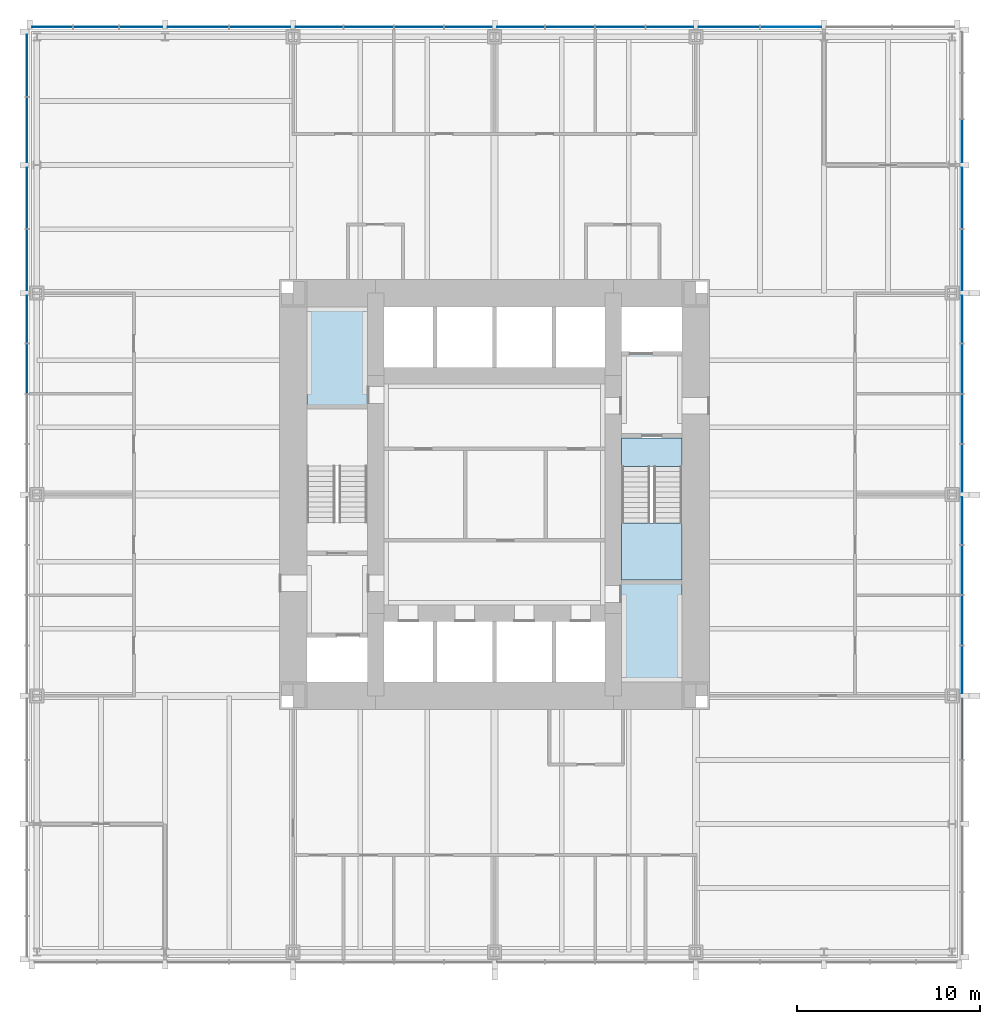
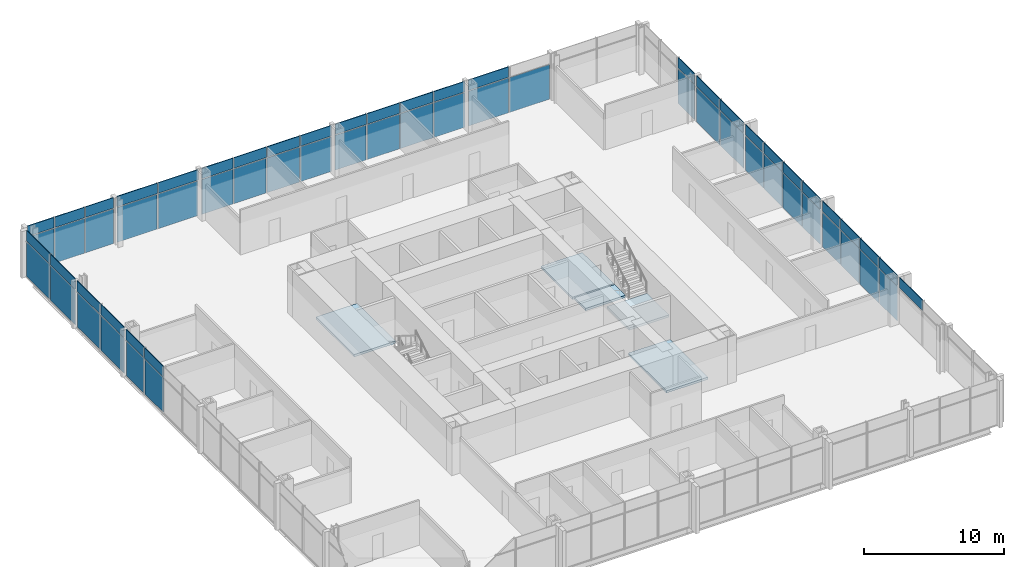
# One storey, part 8 of 12: 64 plates, 5 slabs, 4 elements without a shape of their own.
"""IFC4 building model written with IfcOpenShell, lengths in metres."""

from ifc_helpers import new_model, si_unit, direction, frame, origin, origin_2d, place, context, subcontext, project, spatial, polyline, rectangle, outline, extrude, material, layer, layer_set, type_object, element, aggregate, save


model = new_model("IFC4")

# Units and contexts
model_context = context("Model", 3, precision=1e-05, world=origin(), true_north=direction((0.0, 1.0)))
body_context = subcontext(model_context, "Body", "Model", "MODEL_VIEW")
ifc_project = project(units=[si_unit("LENGTHUNIT", "METRE"), si_unit("AREAUNIT", "SQUARE_METRE"), si_unit("VOLUMEUNIT", "CUBIC_METRE"), si_unit("PLANEANGLEUNIT", "RADIAN"), si_unit("MASSUNIT", "GRAM", prefix="KILO")], contexts=[model_context])

# Site, building, storey
site_placement = place(None, origin())
site = spatial("IfcSite", under=ifc_project, at=site_placement, CompositionType="ELEMENT")
building_placement = place(site_placement, origin())
building = spatial("IfcBuilding", under=site, at=building_placement, Name="Trevanion Tower", CompositionType="ELEMENT")
storey_placement = place(building_placement, frame((0.0, 0.0, 69.300048828125)))
storey = spatial("IfcBuildingStorey", under=building, at=storey_placement, Name="L16", CompositionType="ELEMENT", Elevation=69.300048828125)

# Curtain wall, plates
ifc_material_1 = material(Name="Aluminium and glass", Category="aluminium")
curtain_wall_type = type_object("IfcCurtainWallType", Name="CW1 curtain wall", PredefinedType="USERDEFINED", material=ifc_material_1)
curtain_wall_1_placement = place(storey_placement, origin())
curtain_wall_1 = element("IfcCurtainWall", 1, at=curtain_wall_1_placement, inside=storey, type_object=curtain_wall_type, Name="CW1 L16 0", ObjectType="UNITISED CURTAIN WALL", PredefinedType="USERDEFINED")
ifc_material_2 = material(Name="Aluminium spandrel panel", Category="aluminium")
ifc_layer_1 = layer(ifc_material_2, 0.06005859375)
ifc_layer_set_1 = layer_set([ifc_layer_1], Name="CW1 spandrel panel")
plate_type_1 = type_object("IfcPlateType", Name="CW1 spandrel panel", PredefinedType="CURTAIN_PANEL", material=ifc_layer_set_1)
plate_1_placement = place(storey_placement, frame((25.550048828125, -12.806396484375, 2.997314453125), z_axis=(0.0, 0.0, 1.0), x_axis=(0.0, 1.0, 0.0)))
plate_1 = element("IfcPlate", 2, at=plate_1_placement, type_object=plate_type_1, Name="CW1 panel 4.2", PredefinedType="CURTAIN_PANEL", context=body_context, shape_type="SweptSolid", body=[
    extrude(rectangle(XDim=3.3125, YDim=0.06005859375, at=origin_2d()), origin(), (0.0, 0.0, 1.0), 0.91259765625),
])
plate_2_placement = place(storey_placement, frame((25.550048828125, -9.56884765625, 2.997314453125), z_axis=(0.0, 0.0, 1.0), x_axis=(0.0, 1.0, 0.0)))
plate_2 = element("IfcPlate", 3, at=plate_2_placement, type_object=plate_type_1, Name="CW1 panel 5.2", PredefinedType="CURTAIN_PANEL", context=body_context, shape_type="SweptSolid", body=[
    extrude(rectangle(XDim=2.5625, YDim=0.06005859375, at=origin_2d()), origin(), (0.0, 0.0, 1.0), 0.91259765625),
])
plate_3_placement = place(storey_placement, frame((25.550048828125, -6.875, 2.997314453125), z_axis=(0.0, 0.0, 1.0), x_axis=(0.0, 1.0, 0.0)))
plate_3 = element("IfcPlate", 4, at=plate_3_placement, type_object=plate_type_1, Name="CW1 panel 6.2", PredefinedType="CURTAIN_PANEL", context=body_context, shape_type="SweptSolid", body=[
    extrude(rectangle(XDim=2.675048828125, YDim=0.06005859375, at=origin_2d()), origin(), (0.0, 0.0, 1.0), 0.91259765625),
])
plate_4_placement = place(storey_placement, frame((25.550048828125, -4.125, 2.997314453125), z_axis=(0.0, 0.0, 1.0), x_axis=(0.0, 1.0, 0.0)))
plate_4 = element("IfcPlate", 5, at=plate_4_placement, type_object=plate_type_1, Name="CW1 panel 7.2", PredefinedType="CURTAIN_PANEL", context=body_context, shape_type="SweptSolid", body=[
    extrude(rectangle(XDim=2.675048828125, YDim=0.06005859375, at=origin_2d()), origin(), (0.0, 0.0, 1.0), 0.91259765625),
])
plate_5_placement = place(storey_placement, frame((25.550048828125, -1.43115234375, 2.997314453125), z_axis=(0.0, 0.0, 1.0), x_axis=(0.0, 1.0, 0.0)))
plate_5 = element("IfcPlate", 6, at=plate_5_placement, type_object=plate_type_1, Name="CW1 panel 8.2", PredefinedType="CURTAIN_PANEL", context=body_context, shape_type="SweptSolid", body=[
    extrude(rectangle(XDim=2.5625, YDim=0.06005859375, at=origin_2d()), origin(), (0.0, 0.0, 1.0), 0.91259765625),
])
plate_6_placement = place(storey_placement, frame((25.550048828125, 1.43115234375, 2.997314453125), z_axis=(0.0, 0.0, 1.0), x_axis=(0.0, 1.0, 0.0)))
plate_6 = element("IfcPlate", 7, at=plate_6_placement, type_object=plate_type_1, Name="CW1 panel 9.2", PredefinedType="CURTAIN_PANEL", context=body_context, shape_type="SweptSolid", body=[
    extrude(rectangle(XDim=2.5625, YDim=0.06005859375, at=origin_2d()), origin(), (0.0, 0.0, 1.0), 0.91259765625),
])
plate_7_placement = place(storey_placement, frame((25.550048828125, 4.125, 2.997314453125), z_axis=(0.0, 0.0, 1.0), x_axis=(0.0, 1.0, 0.0)))
plate_7 = element("IfcPlate", 8, at=plate_7_placement, type_object=plate_type_1, Name="CW1 panel 10.2", PredefinedType="CURTAIN_PANEL", context=body_context, shape_type="SweptSolid", body=[
    extrude(rectangle(XDim=2.675048828125, YDim=0.06005859375, at=origin_2d()), origin(), (0.0, 0.0, 1.0), 0.91259765625),
])
plate_8_placement = place(storey_placement, frame((25.550048828125, 6.875, 2.997314453125), z_axis=(0.0, 0.0, 1.0), x_axis=(0.0, 1.0, 0.0)))
plate_8 = element("IfcPlate", 9, at=plate_8_placement, type_object=plate_type_1, Name="CW1 panel 11.2", PredefinedType="CURTAIN_PANEL", context=body_context, shape_type="SweptSolid", body=[
    extrude(rectangle(XDim=2.675048828125, YDim=0.06005859375, at=origin_2d()), origin(), (0.0, 0.0, 1.0), 0.91259765625),
])
plate_9_placement = place(storey_placement, frame((25.550048828125, 9.56884765625, 2.997314453125), z_axis=(0.0, 0.0, 1.0), x_axis=(0.0, 1.0, 0.0)))
plate_9 = element("IfcPlate", 10, at=plate_9_placement, type_object=plate_type_1, Name="CW1 panel 12.2", PredefinedType="CURTAIN_PANEL", context=body_context, shape_type="SweptSolid", body=[
    extrude(rectangle(XDim=2.5625, YDim=0.06005859375, at=origin_2d()), origin(), (0.0, 0.0, 1.0), 0.91259765625),
])
plate_10_placement = place(storey_placement, frame((25.550048828125, 12.80615234375, 2.997314453125), z_axis=(0.0, 0.0, 1.0), x_axis=(0.0, 1.0, 0.0)))
plate_10 = element("IfcPlate", 11, at=plate_10_placement, type_object=plate_type_1, Name="CW1 panel 13.2", PredefinedType="CURTAIN_PANEL", context=body_context, shape_type="SweptSolid", body=[
    extrude(rectangle(XDim=3.3125, YDim=0.06005859375, at=origin_2d()), origin(), (0.0, 0.0, 1.0), 0.91259765625),
])
plate_11_placement = place(storey_placement, frame((25.550048828125, 16.19384765625, 2.997314453125), z_axis=(0.0, 0.0, 1.0), x_axis=(0.0, 1.0, 0.0)))
plate_11 = element("IfcPlate", 12, at=plate_11_placement, type_object=plate_type_1, Name="CW1 panel 14.2", PredefinedType="CURTAIN_PANEL", context=body_context, shape_type="SweptSolid", body=[
    extrude(rectangle(XDim=3.3125, YDim=0.06005859375, at=origin_2d()), origin(), (0.0, 0.0, 1.0), 0.91259765625),
])
plate_12_placement = place(storey_placement, frame((25.550048828125, 19.314697265625, 2.997314453125), z_axis=(0.0, 0.0, 1.0), x_axis=(0.0, 1.0, 0.0)))
plate_12 = element("IfcPlate", 13, at=plate_12_placement, type_object=plate_type_1, Name="CW1 panel 15.2", PredefinedType="CURTAIN_PANEL", context=body_context, shape_type="SweptSolid", body=[
    extrude(rectangle(XDim=2.3291015625, YDim=0.06005859375, at=origin_2d()), origin(), (0.0, 0.0, 1.0), 0.91259765625),
])

curtain_wall_2_placement = place(storey_placement, origin())
curtain_wall_2 = element("IfcCurtainWall", 14, at=curtain_wall_2_placement, inside=storey, type_object=curtain_wall_type, Name="CW1 L16 1", ObjectType="UNITISED CURTAIN WALL", PredefinedType="USERDEFINED")
plate_13_placement = place(storey_placement, frame((12.806396484375, 25.550048828125, 2.997314453125), z_axis=(0.0, 0.0, 1.0), x_axis=(-1.0, 0.0, 0.0)))
plate_13 = element("IfcPlate", 15, at=plate_13_placement, type_object=plate_type_1, Name="CW1 panel 4.2", PredefinedType="CURTAIN_PANEL", context=body_context, shape_type="SweptSolid", body=[
    extrude(rectangle(XDim=3.3125, YDim=0.06005859375, at=origin_2d()), origin(), (0.0, 0.0, 1.0), 0.91259765625),
])
plate_14_placement = place(storey_placement, frame((9.56884765625, 25.550048828125, 2.997314453125), z_axis=(0.0, 0.0, 1.0), x_axis=(-1.0, 0.0, 0.0)))
plate_14 = element("IfcPlate", 16, at=plate_14_placement, type_object=plate_type_1, Name="CW1 panel 5.2", PredefinedType="CURTAIN_PANEL", context=body_context, shape_type="SweptSolid", body=[
    extrude(rectangle(XDim=2.5625, YDim=0.06005859375, at=origin_2d()), origin(), (0.0, 0.0, 1.0), 0.91259765625),
])
plate_15_placement = place(storey_placement, frame((6.875, 25.550048828125, 2.997314453125), z_axis=(0.0, 0.0, 1.0), x_axis=(-1.0, 0.0, 0.0)))
plate_15 = element("IfcPlate", 17, at=plate_15_placement, type_object=plate_type_1, Name="CW1 panel 6.2", PredefinedType="CURTAIN_PANEL", context=body_context, shape_type="SweptSolid", body=[
    extrude(rectangle(XDim=2.675048828125, YDim=0.06005859375, at=origin_2d()), origin(), (0.0, 0.0, 1.0), 0.91259765625),
])
plate_16_placement = place(storey_placement, frame((4.125, 25.550048828125, 2.997314453125), z_axis=(0.0, 0.0, 1.0), x_axis=(-1.0, 0.0, 0.0)))
plate_16 = element("IfcPlate", 18, at=plate_16_placement, type_object=plate_type_1, Name="CW1 panel 7.2", PredefinedType="CURTAIN_PANEL", context=body_context, shape_type="SweptSolid", body=[
    extrude(rectangle(XDim=2.675048828125, YDim=0.06005859375, at=origin_2d()), origin(), (0.0, 0.0, 1.0), 0.91259765625),
])
plate_17_placement = place(storey_placement, frame((1.43115234375, 25.550048828125, 2.997314453125), z_axis=(0.0, 0.0, 1.0), x_axis=(-1.0, 0.0, 0.0)))
plate_17 = element("IfcPlate", 19, at=plate_17_placement, type_object=plate_type_1, Name="CW1 panel 8.2", PredefinedType="CURTAIN_PANEL", context=body_context, shape_type="SweptSolid", body=[
    extrude(rectangle(XDim=2.5625, YDim=0.06005859375, at=origin_2d()), origin(), (0.0, 0.0, 1.0), 0.91259765625),
])
plate_18_placement = place(storey_placement, frame((-1.43115234375, 25.550048828125, 2.997314453125), z_axis=(0.0, 0.0, 1.0), x_axis=(-1.0, 0.0, 0.0)))
plate_18 = element("IfcPlate", 20, at=plate_18_placement, type_object=plate_type_1, Name="CW1 panel 9.2", PredefinedType="CURTAIN_PANEL", context=body_context, shape_type="SweptSolid", body=[
    extrude(rectangle(XDim=2.5625, YDim=0.06005859375, at=origin_2d()), origin(), (0.0, 0.0, 1.0), 0.91259765625),
])
plate_19_placement = place(storey_placement, frame((-4.125, 25.550048828125, 2.997314453125), z_axis=(0.0, 0.0, 1.0), x_axis=(-1.0, 0.0, 0.0)))
plate_19 = element("IfcPlate", 21, at=plate_19_placement, type_object=plate_type_1, Name="CW1 panel 10.2", PredefinedType="CURTAIN_PANEL", context=body_context, shape_type="SweptSolid", body=[
    extrude(rectangle(XDim=2.675048828125, YDim=0.06005859375, at=origin_2d()), origin(), (0.0, 0.0, 1.0), 0.91259765625),
])
plate_20_placement = place(storey_placement, frame((-6.875, 25.550048828125, 2.997314453125), z_axis=(0.0, 0.0, 1.0), x_axis=(-1.0, 0.0, 0.0)))
plate_20 = element("IfcPlate", 22, at=plate_20_placement, type_object=plate_type_1, Name="CW1 panel 11.2", PredefinedType="CURTAIN_PANEL", context=body_context, shape_type="SweptSolid", body=[
    extrude(rectangle(XDim=2.675048828125, YDim=0.06005859375, at=origin_2d()), origin(), (0.0, 0.0, 1.0), 0.91259765625),
])
plate_21_placement = place(storey_placement, frame((-9.56884765625, 25.550048828125, 2.997314453125), z_axis=(0.0, 0.0, 1.0), x_axis=(-1.0, 0.0, 0.0)))
plate_21 = element("IfcPlate", 23, at=plate_21_placement, type_object=plate_type_1, Name="CW1 panel 12.2", PredefinedType="CURTAIN_PANEL", context=body_context, shape_type="SweptSolid", body=[
    extrude(rectangle(XDim=2.5625, YDim=0.06005859375, at=origin_2d()), origin(), (0.0, 0.0, 1.0), 0.91259765625),
])
plate_22_placement = place(storey_placement, frame((-12.80615234375, 25.550048828125, 2.997314453125), z_axis=(0.0, 0.0, 1.0), x_axis=(-1.0, 0.0, 0.0)))
plate_22 = element("IfcPlate", 24, at=plate_22_placement, type_object=plate_type_1, Name="CW1 panel 13.2", PredefinedType="CURTAIN_PANEL", context=body_context, shape_type="SweptSolid", body=[
    extrude(rectangle(XDim=3.3125, YDim=0.06005859375, at=origin_2d()), origin(), (0.0, 0.0, 1.0), 0.91259765625),
])
plate_23_placement = place(storey_placement, frame((-16.19384765625, 25.550048828125, 2.997314453125), z_axis=(0.0, 0.0, 1.0), x_axis=(-1.0, 0.0, 0.0)))
plate_23 = element("IfcPlate", 25, at=plate_23_placement, type_object=plate_type_1, Name="CW1 panel 14.2", PredefinedType="CURTAIN_PANEL", context=body_context, shape_type="SweptSolid", body=[
    extrude(rectangle(XDim=3.3125, YDim=0.06005859375, at=origin_2d()), origin(), (0.0, 0.0, 1.0), 0.91259765625),
])
plate_24_placement = place(storey_placement, frame((-19.314697265625, 25.550048828125, 2.997314453125), z_axis=(0.0, 0.0, 1.0), x_axis=(-1.0, 0.0, 0.0)))
plate_24 = element("IfcPlate", 26, at=plate_24_placement, type_object=plate_type_1, Name="CW1 panel 15.2", PredefinedType="CURTAIN_PANEL", context=body_context, shape_type="SweptSolid", body=[
    extrude(rectangle(XDim=2.3291015625, YDim=0.06005859375, at=origin_2d()), origin(), (0.0, 0.0, 1.0), 0.91259765625),
])
plate_25_placement = place(storey_placement, frame((-21.77490234375, 25.550048828125, 2.997314453125), z_axis=(0.0, 0.0, 1.0), x_axis=(-1.0, 0.0, 0.0)))
plate_25 = element("IfcPlate", 27, at=plate_25_placement, type_object=plate_type_1, Name="CW1 panel 16.2", PredefinedType="CURTAIN_PANEL", context=body_context, shape_type="SweptSolid", body=[
    extrude(rectangle(XDim=2.441650390625, YDim=0.06005859375, at=origin_2d()), origin(), (0.0, 0.0, 1.0), 0.91259765625),
])
plate_26_placement = place(storey_placement, frame((-24.160400390625, 25.550048828125, 2.997314453125), z_axis=(0.0, 0.0, 1.0), x_axis=(-1.0, 0.0, 0.0)))
plate_26 = element("IfcPlate", 28, at=plate_26_placement, type_object=plate_type_1, Name="CW1 panel 17.2", PredefinedType="CURTAIN_PANEL", context=body_context, shape_type="SweptSolid", body=[
    extrude(rectangle(XDim=2.17919921875, YDim=0.06005859375, at=origin_2d()), origin(), (0.0, 0.0, 1.0), 0.91259765625),
])

curtain_wall_3_placement = place(storey_placement, origin())
curtain_wall_3 = element("IfcCurtainWall", 29, at=curtain_wall_3_placement, inside=storey, type_object=curtain_wall_type, Name="CW1 L16 2", ObjectType="UNITISED CURTAIN WALL", PredefinedType="USERDEFINED")
plate_27_placement = place(storey_placement, frame((-25.550048828125, 23.433837890625, 2.997314453125), z_axis=(0.0, 0.0, 1.0), x_axis=(0.0, -1.0, 0.0)))
plate_27 = element("IfcPlate", 30, at=plate_27_placement, type_object=plate_type_1, Name="CW1 panel 1.2", PredefinedType="CURTAIN_PANEL", context=body_context, shape_type="SweptSolid", body=[
    extrude(rectangle(XDim=3.37255859375, YDim=0.06005859375, at=origin_2d()), origin(), (0.0, 0.0, 1.0), 0.91259765625),
])
plate_28_placement = place(storey_placement, frame((-25.550048828125, 19.911376953125, 2.997314453125), z_axis=(0.0, 0.0, 1.0), x_axis=(0.0, -1.0, 0.0)))
plate_28 = element("IfcPlate", 31, at=plate_28_placement, type_object=plate_type_1, Name="CW1 panel 2.2", PredefinedType="CURTAIN_PANEL", context=body_context, shape_type="SweptSolid", body=[
    extrude(rectangle(XDim=3.5224609375, YDim=0.06005859375, at=origin_2d()), origin(), (0.0, 0.0, 1.0), 0.91259765625),
])
plate_29_placement = place(storey_placement, frame((-25.550048828125, 16.19384765625, 2.997314453125), z_axis=(0.0, 0.0, 1.0), x_axis=(0.0, -1.0, 0.0)))
plate_29 = element("IfcPlate", 32, at=plate_29_placement, type_object=plate_type_1, Name="CW1 panel 3.2", PredefinedType="CURTAIN_PANEL", context=body_context, shape_type="SweptSolid", body=[
    extrude(rectangle(XDim=3.3125, YDim=0.06005859375, at=origin_2d()), origin(), (0.0, 0.0, 1.0), 0.91259765625),
])
plate_30_placement = place(storey_placement, frame((-25.550048828125, 12.806396484375, 2.997314453125), z_axis=(0.0, 0.0, 1.0), x_axis=(0.0, -1.0, 0.0)))
plate_30 = element("IfcPlate", 33, at=plate_30_placement, type_object=plate_type_1, Name="CW1 panel 4.2", PredefinedType="CURTAIN_PANEL", context=body_context, shape_type="SweptSolid", body=[
    extrude(rectangle(XDim=3.3125, YDim=0.06005859375, at=origin_2d()), origin(), (0.0, 0.0, 1.0), 0.91259765625),
])
plate_31_placement = place(storey_placement, frame((-25.550048828125, 9.56884765625, 2.997314453125), z_axis=(0.0, 0.0, 1.0), x_axis=(0.0, -1.0, 0.0)))
plate_31 = element("IfcPlate", 34, at=plate_31_placement, type_object=plate_type_1, Name="CW1 panel 5.2", PredefinedType="CURTAIN_PANEL", context=body_context, shape_type="SweptSolid", body=[
    extrude(rectangle(XDim=2.5625, YDim=0.06005859375, at=origin_2d()), origin(), (0.0, 0.0, 1.0), 0.91259765625),
])
plate_32_placement = place(storey_placement, frame((-25.550048828125, 6.875, 2.997314453125), z_axis=(0.0, 0.0, 1.0), x_axis=(0.0, -1.0, 0.0)))
plate_32 = element("IfcPlate", 35, at=plate_32_placement, type_object=plate_type_1, Name="CW1 panel 6.2", PredefinedType="CURTAIN_PANEL", context=body_context, shape_type="SweptSolid", body=[
    extrude(rectangle(XDim=2.675048828125, YDim=0.06005859375, at=origin_2d()), origin(), (0.0, 0.0, 1.0), 0.91259765625),
])

# Plate
ifc_material_3 = material(Name="Insulating glass unit", Category="glass")
ifc_layer_2 = layer(ifc_material_3, 0.028076171875)
ifc_layer_set_2 = layer_set([ifc_layer_2], Name="CW1 vision panel")
plate_type_2 = type_object("IfcPlateType", Name="CW1 vision panel", PredefinedType="CURTAIN_PANEL", material=ifc_layer_set_2)
plate_33_placement = place(storey_placement, frame((25.550048828125, -9.56884765625, -0.115234375), z_axis=(0.0, 0.0, 1.0), x_axis=(0.0, 1.0, 0.0)))
plate_33 = element("IfcPlate", 36, at=plate_33_placement, type_object=plate_type_2, Name="CW1 panel 5.1", PredefinedType="CURTAIN_PANEL", context=body_context, shape_type="SweptSolid", body=[
    extrude(rectangle(XDim=2.5625, YDim=0.028076171875, at=origin_2d()), origin(), (0.0, 0.0, 1.0), 3.03759765625),
])

plate_34_placement = place(storey_placement, frame((25.550048828125, -6.875, -0.115234375), z_axis=(0.0, 0.0, 1.0), x_axis=(0.0, 1.0, 0.0)))
plate_34 = element("IfcPlate", 37, at=plate_34_placement, type_object=plate_type_2, Name="CW1 panel 6.1", PredefinedType="CURTAIN_PANEL", context=body_context, shape_type="SweptSolid", body=[
    extrude(rectangle(XDim=2.675048828125, YDim=0.028076171875, at=origin_2d()), origin(), (0.0, 0.0, 1.0), 3.03759765625),
])

plate_35_placement = place(storey_placement, frame((25.550048828125, -4.125, -0.115234375), z_axis=(0.0, 0.0, 1.0), x_axis=(0.0, 1.0, 0.0)))
plate_35 = element("IfcPlate", 38, at=plate_35_placement, type_object=plate_type_2, Name="CW1 panel 7.1", PredefinedType="CURTAIN_PANEL", context=body_context, shape_type="SweptSolid", body=[
    extrude(rectangle(XDim=2.675048828125, YDim=0.028076171875, at=origin_2d()), origin(), (0.0, 0.0, 1.0), 3.03759765625),
])

plate_36_placement = place(storey_placement, frame((25.550048828125, -1.43115234375, -0.115234375), z_axis=(0.0, 0.0, 1.0), x_axis=(0.0, 1.0, 0.0)))
plate_36 = element("IfcPlate", 39, at=plate_36_placement, type_object=plate_type_2, Name="CW1 panel 8.1", PredefinedType="CURTAIN_PANEL", context=body_context, shape_type="SweptSolid", body=[
    extrude(rectangle(XDim=2.5625, YDim=0.028076171875, at=origin_2d()), origin(), (0.0, 0.0, 1.0), 3.03759765625),
])

plate_37_placement = place(storey_placement, frame((25.550048828125, 1.43115234375, -0.115234375), z_axis=(0.0, 0.0, 1.0), x_axis=(0.0, 1.0, 0.0)))
plate_37 = element("IfcPlate", 40, at=plate_37_placement, type_object=plate_type_2, Name="CW1 panel 9.1", PredefinedType="CURTAIN_PANEL", context=body_context, shape_type="SweptSolid", body=[
    extrude(rectangle(XDim=2.5625, YDim=0.028076171875, at=origin_2d()), origin(), (0.0, 0.0, 1.0), 3.03759765625),
])

plate_38_placement = place(storey_placement, frame((25.550048828125, 4.125, -0.115234375), z_axis=(0.0, 0.0, 1.0), x_axis=(0.0, 1.0, 0.0)))
plate_38 = element("IfcPlate", 41, at=plate_38_placement, type_object=plate_type_2, Name="CW1 panel 10.1", PredefinedType="CURTAIN_PANEL", context=body_context, shape_type="SweptSolid", body=[
    extrude(rectangle(XDim=2.675048828125, YDim=0.028076171875, at=origin_2d()), origin(), (0.0, 0.0, 1.0), 3.03759765625),
])

plate_39_placement = place(storey_placement, frame((25.550048828125, 6.875, -0.115234375), z_axis=(0.0, 0.0, 1.0), x_axis=(0.0, 1.0, 0.0)))
plate_39 = element("IfcPlate", 42, at=plate_39_placement, type_object=plate_type_2, Name="CW1 panel 11.1", PredefinedType="CURTAIN_PANEL", context=body_context, shape_type="SweptSolid", body=[
    extrude(rectangle(XDim=2.675048828125, YDim=0.028076171875, at=origin_2d()), origin(), (0.0, 0.0, 1.0), 3.03759765625),
])

plate_40_placement = place(storey_placement, frame((25.550048828125, 9.56884765625, -0.115234375), z_axis=(0.0, 0.0, 1.0), x_axis=(0.0, 1.0, 0.0)))
plate_40 = element("IfcPlate", 43, at=plate_40_placement, type_object=plate_type_2, Name="CW1 panel 12.1", PredefinedType="CURTAIN_PANEL", context=body_context, shape_type="SweptSolid", body=[
    extrude(rectangle(XDim=2.5625, YDim=0.028076171875, at=origin_2d()), origin(), (0.0, 0.0, 1.0), 3.03759765625),
])

plate_41_placement = place(storey_placement, frame((25.550048828125, 12.80615234375, -0.115234375), z_axis=(0.0, 0.0, 1.0), x_axis=(0.0, 1.0, 0.0)))
plate_41 = element("IfcPlate", 44, at=plate_41_placement, type_object=plate_type_2, Name="CW1 panel 13.1", PredefinedType="CURTAIN_PANEL", context=body_context, shape_type="SweptSolid", body=[
    extrude(rectangle(XDim=3.3125, YDim=0.028076171875, at=origin_2d()), origin(), (0.0, 0.0, 1.0), 3.03759765625),
])

plate_42_placement = place(storey_placement, frame((25.550048828125, 16.19384765625, -0.115234375), z_axis=(0.0, 0.0, 1.0), x_axis=(0.0, 1.0, 0.0)))
plate_42 = element("IfcPlate", 45, at=plate_42_placement, type_object=plate_type_2, Name="CW1 panel 14.1", PredefinedType="CURTAIN_PANEL", context=body_context, shape_type="SweptSolid", body=[
    extrude(rectangle(XDim=3.3125, YDim=0.028076171875, at=origin_2d()), origin(), (0.0, 0.0, 1.0), 3.03759765625),
])

plate_43_placement = place(storey_placement, frame((25.550048828125, 19.314697265625, -0.115234375), z_axis=(0.0, 0.0, 1.0), x_axis=(0.0, 1.0, 0.0)))
plate_43 = element("IfcPlate", 46, at=plate_43_placement, type_object=plate_type_2, Name="CW1 panel 15.1", PredefinedType="CURTAIN_PANEL", context=body_context, shape_type="SweptSolid", body=[
    extrude(rectangle(XDim=2.3291015625, YDim=0.028076171875, at=origin_2d()), origin(), (0.0, 0.0, 1.0), 3.03759765625),
])

aggregate(curtain_wall_1, [plate_1, plate_33, plate_2, plate_34, plate_3, plate_35, plate_4, plate_36, plate_5, plate_37, plate_6, plate_38, plate_7, plate_39, plate_8, plate_40, plate_9, plate_41, plate_10, plate_42, plate_11, plate_43, plate_12])

plate_44_placement = place(storey_placement, frame((16.19384765625, 25.550048828125, -0.115234375), z_axis=(0.0, 0.0, 1.0), x_axis=(-1.0, 0.0, 0.0)))
plate_44 = element("IfcPlate", 47, at=plate_44_placement, type_object=plate_type_2, Name="CW1 panel 3.1", PredefinedType="CURTAIN_PANEL", context=body_context, shape_type="SweptSolid", body=[
    extrude(rectangle(XDim=3.3125, YDim=0.028076171875, at=origin_2d()), origin(), (0.0, 0.0, 1.0), 3.03759765625),
])

plate_45_placement = place(storey_placement, frame((12.806396484375, 25.550048828125, -0.115234375), z_axis=(0.0, 0.0, 1.0), x_axis=(-1.0, 0.0, 0.0)))
plate_45 = element("IfcPlate", 48, at=plate_45_placement, type_object=plate_type_2, Name="CW1 panel 4.1", PredefinedType="CURTAIN_PANEL", context=body_context, shape_type="SweptSolid", body=[
    extrude(rectangle(XDim=3.3125, YDim=0.028076171875, at=origin_2d()), origin(), (0.0, 0.0, 1.0), 3.03759765625),
])

plate_46_placement = place(storey_placement, frame((9.56884765625, 25.550048828125, -0.115234375), z_axis=(0.0, 0.0, 1.0), x_axis=(-1.0, 0.0, 0.0)))
plate_46 = element("IfcPlate", 49, at=plate_46_placement, type_object=plate_type_2, Name="CW1 panel 5.1", PredefinedType="CURTAIN_PANEL", context=body_context, shape_type="SweptSolid", body=[
    extrude(rectangle(XDim=2.5625, YDim=0.028076171875, at=origin_2d()), origin(), (0.0, 0.0, 1.0), 3.03759765625),
])

plate_47_placement = place(storey_placement, frame((6.875, 25.550048828125, -0.115234375), z_axis=(0.0, 0.0, 1.0), x_axis=(-1.0, 0.0, 0.0)))
plate_47 = element("IfcPlate", 50, at=plate_47_placement, type_object=plate_type_2, Name="CW1 panel 6.1", PredefinedType="CURTAIN_PANEL", context=body_context, shape_type="SweptSolid", body=[
    extrude(rectangle(XDim=2.675048828125, YDim=0.028076171875, at=origin_2d()), origin(), (0.0, 0.0, 1.0), 3.03759765625),
])

plate_48_placement = place(storey_placement, frame((4.125, 25.550048828125, -0.115234375), z_axis=(0.0, 0.0, 1.0), x_axis=(-1.0, 0.0, 0.0)))
plate_48 = element("IfcPlate", 51, at=plate_48_placement, type_object=plate_type_2, Name="CW1 panel 7.1", PredefinedType="CURTAIN_PANEL", context=body_context, shape_type="SweptSolid", body=[
    extrude(rectangle(XDim=2.675048828125, YDim=0.028076171875, at=origin_2d()), origin(), (0.0, 0.0, 1.0), 3.03759765625),
])

plate_49_placement = place(storey_placement, frame((1.43115234375, 25.550048828125, -0.115234375), z_axis=(0.0, 0.0, 1.0), x_axis=(-1.0, 0.0, 0.0)))
plate_49 = element("IfcPlate", 52, at=plate_49_placement, type_object=plate_type_2, Name="CW1 panel 8.1", PredefinedType="CURTAIN_PANEL", context=body_context, shape_type="SweptSolid", body=[
    extrude(rectangle(XDim=2.5625, YDim=0.028076171875, at=origin_2d()), origin(), (0.0, 0.0, 1.0), 3.03759765625),
])

plate_50_placement = place(storey_placement, frame((-1.43115234375, 25.550048828125, -0.115234375), z_axis=(0.0, 0.0, 1.0), x_axis=(-1.0, 0.0, 0.0)))
plate_50 = element("IfcPlate", 53, at=plate_50_placement, type_object=plate_type_2, Name="CW1 panel 9.1", PredefinedType="CURTAIN_PANEL", context=body_context, shape_type="SweptSolid", body=[
    extrude(rectangle(XDim=2.5625, YDim=0.028076171875, at=origin_2d()), origin(), (0.0, 0.0, 1.0), 3.03759765625),
])

plate_51_placement = place(storey_placement, frame((-4.125, 25.550048828125, -0.115234375), z_axis=(0.0, 0.0, 1.0), x_axis=(-1.0, 0.0, 0.0)))
plate_51 = element("IfcPlate", 54, at=plate_51_placement, type_object=plate_type_2, Name="CW1 panel 10.1", PredefinedType="CURTAIN_PANEL", context=body_context, shape_type="SweptSolid", body=[
    extrude(rectangle(XDim=2.675048828125, YDim=0.028076171875, at=origin_2d()), origin(), (0.0, 0.0, 1.0), 3.03759765625),
])

plate_52_placement = place(storey_placement, frame((-6.875, 25.550048828125, -0.115234375), z_axis=(0.0, 0.0, 1.0), x_axis=(-1.0, 0.0, 0.0)))
plate_52 = element("IfcPlate", 55, at=plate_52_placement, type_object=plate_type_2, Name="CW1 panel 11.1", PredefinedType="CURTAIN_PANEL", context=body_context, shape_type="SweptSolid", body=[
    extrude(rectangle(XDim=2.675048828125, YDim=0.028076171875, at=origin_2d()), origin(), (0.0, 0.0, 1.0), 3.03759765625),
])

plate_53_placement = place(storey_placement, frame((-9.56884765625, 25.550048828125, -0.115234375), z_axis=(0.0, 0.0, 1.0), x_axis=(-1.0, 0.0, 0.0)))
plate_53 = element("IfcPlate", 56, at=plate_53_placement, type_object=plate_type_2, Name="CW1 panel 12.1", PredefinedType="CURTAIN_PANEL", context=body_context, shape_type="SweptSolid", body=[
    extrude(rectangle(XDim=2.5625, YDim=0.028076171875, at=origin_2d()), origin(), (0.0, 0.0, 1.0), 3.03759765625),
])

plate_54_placement = place(storey_placement, frame((-12.80615234375, 25.550048828125, -0.115234375), z_axis=(0.0, 0.0, 1.0), x_axis=(-1.0, 0.0, 0.0)))
plate_54 = element("IfcPlate", 57, at=plate_54_placement, type_object=plate_type_2, Name="CW1 panel 13.1", PredefinedType="CURTAIN_PANEL", context=body_context, shape_type="SweptSolid", body=[
    extrude(rectangle(XDim=3.3125, YDim=0.028076171875, at=origin_2d()), origin(), (0.0, 0.0, 1.0), 3.03759765625),
])

plate_55_placement = place(storey_placement, frame((-16.19384765625, 25.550048828125, -0.115234375), z_axis=(0.0, 0.0, 1.0), x_axis=(-1.0, 0.0, 0.0)))
plate_55 = element("IfcPlate", 58, at=plate_55_placement, type_object=plate_type_2, Name="CW1 panel 14.1", PredefinedType="CURTAIN_PANEL", context=body_context, shape_type="SweptSolid", body=[
    extrude(rectangle(XDim=3.3125, YDim=0.028076171875, at=origin_2d()), origin(), (0.0, 0.0, 1.0), 3.03759765625),
])

plate_56_placement = place(storey_placement, frame((-19.314697265625, 25.550048828125, -0.115234375), z_axis=(0.0, 0.0, 1.0), x_axis=(-1.0, 0.0, 0.0)))
plate_56 = element("IfcPlate", 59, at=plate_56_placement, type_object=plate_type_2, Name="CW1 panel 15.1", PredefinedType="CURTAIN_PANEL", context=body_context, shape_type="SweptSolid", body=[
    extrude(rectangle(XDim=2.3291015625, YDim=0.028076171875, at=origin_2d()), origin(), (0.0, 0.0, 1.0), 3.03759765625),
])

plate_57_placement = place(storey_placement, frame((-21.77490234375, 25.550048828125, -0.115234375), z_axis=(0.0, 0.0, 1.0), x_axis=(-1.0, 0.0, 0.0)))
plate_57 = element("IfcPlate", 60, at=plate_57_placement, type_object=plate_type_2, Name="CW1 panel 16.1", PredefinedType="CURTAIN_PANEL", context=body_context, shape_type="SweptSolid", body=[
    extrude(rectangle(XDim=2.441650390625, YDim=0.028076171875, at=origin_2d()), origin(), (0.0, 0.0, 1.0), 3.03759765625),
])

plate_58_placement = place(storey_placement, frame((-24.160400390625, 25.550048828125, -0.115234375), z_axis=(0.0, 0.0, 1.0), x_axis=(-1.0, 0.0, 0.0)))
plate_58 = element("IfcPlate", 61, at=plate_58_placement, type_object=plate_type_2, Name="CW1 panel 17.1", PredefinedType="CURTAIN_PANEL", context=body_context, shape_type="SweptSolid", body=[
    extrude(rectangle(XDim=2.17919921875, YDim=0.028076171875, at=origin_2d()), origin(), (0.0, 0.0, 1.0), 3.03759765625),
])

aggregate(curtain_wall_2, [plate_44, plate_45, plate_13, plate_46, plate_14, plate_47, plate_15, plate_48, plate_16, plate_49, plate_17, plate_50, plate_18, plate_51, plate_19, plate_52, plate_20, plate_53, plate_21, plate_54, plate_22, plate_55, plate_23, plate_56, plate_24, plate_57, plate_25, plate_58, plate_26])

plate_59_placement = place(storey_placement, frame((-25.550048828125, 23.433837890625, -0.115234375), z_axis=(0.0, 0.0, 1.0), x_axis=(0.0, -1.0, 0.0)))
plate_59 = element("IfcPlate", 62, at=plate_59_placement, type_object=plate_type_2, Name="CW1 panel 1.1", PredefinedType="CURTAIN_PANEL", context=body_context, shape_type="SweptSolid", body=[
    extrude(rectangle(XDim=3.37255859375, YDim=0.028076171875, at=origin_2d()), origin(), (0.0, 0.0, 1.0), 3.03759765625),
])

plate_60_placement = place(storey_placement, frame((-25.550048828125, 19.911376953125, -0.115234375), z_axis=(0.0, 0.0, 1.0), x_axis=(0.0, -1.0, 0.0)))
plate_60 = element("IfcPlate", 63, at=plate_60_placement, type_object=plate_type_2, Name="CW1 panel 2.1", PredefinedType="CURTAIN_PANEL", context=body_context, shape_type="SweptSolid", body=[
    extrude(rectangle(XDim=3.5224609375, YDim=0.028076171875, at=origin_2d()), origin(), (0.0, 0.0, 1.0), 3.03759765625),
])

plate_61_placement = place(storey_placement, frame((-25.550048828125, 16.19384765625, -0.115234375), z_axis=(0.0, 0.0, 1.0), x_axis=(0.0, -1.0, 0.0)))
plate_61 = element("IfcPlate", 64, at=plate_61_placement, type_object=plate_type_2, Name="CW1 panel 3.1", PredefinedType="CURTAIN_PANEL", context=body_context, shape_type="SweptSolid", body=[
    extrude(rectangle(XDim=3.3125, YDim=0.028076171875, at=origin_2d()), origin(), (0.0, 0.0, 1.0), 3.03759765625),
])

plate_62_placement = place(storey_placement, frame((-25.550048828125, 12.806396484375, -0.115234375), z_axis=(0.0, 0.0, 1.0), x_axis=(0.0, -1.0, 0.0)))
plate_62 = element("IfcPlate", 65, at=plate_62_placement, type_object=plate_type_2, Name="CW1 panel 4.1", PredefinedType="CURTAIN_PANEL", context=body_context, shape_type="SweptSolid", body=[
    extrude(rectangle(XDim=3.3125, YDim=0.028076171875, at=origin_2d()), origin(), (0.0, 0.0, 1.0), 3.03759765625),
])

plate_63_placement = place(storey_placement, frame((-25.550048828125, 9.56884765625, -0.115234375), z_axis=(0.0, 0.0, 1.0), x_axis=(0.0, -1.0, 0.0)))
plate_63 = element("IfcPlate", 66, at=plate_63_placement, type_object=plate_type_2, Name="CW1 panel 5.1", PredefinedType="CURTAIN_PANEL", context=body_context, shape_type="SweptSolid", body=[
    extrude(rectangle(XDim=2.5625, YDim=0.028076171875, at=origin_2d()), origin(), (0.0, 0.0, 1.0), 3.03759765625),
])

plate_64_placement = place(storey_placement, frame((-25.550048828125, 6.875, -0.115234375), z_axis=(0.0, 0.0, 1.0), x_axis=(0.0, -1.0, 0.0)))
plate_64 = element("IfcPlate", 67, at=plate_64_placement, type_object=plate_type_2, Name="CW1 panel 6.1", PredefinedType="CURTAIN_PANEL", context=body_context, shape_type="SweptSolid", body=[
    extrude(rectangle(XDim=2.675048828125, YDim=0.028076171875, at=origin_2d()), origin(), (0.0, 0.0, 1.0), 3.03759765625),
])

aggregate(curtain_wall_3, [plate_59, plate_27, plate_60, plate_28, plate_61, plate_29, plate_62, plate_30, plate_63, plate_31, plate_64, plate_32])

# Slabs
ifc_material_4 = material(Name="Concrete 5,000 psi", Category="concrete")
ifc_layer_3 = layer(ifc_material_4, 0.199951171875)
ifc_layer_set_3 = layer_set([ifc_layer_3], Name="SL2 core floor 200")
slab_type_1 = type_object("IfcSlabType", Name="SL2 core floor 200", PredefinedType="FLOOR", material=ifc_layer_set_3)
slab_1_placement = place(storey_placement, frame((0.0, 0.0, -0.199951171875)))
element("IfcSlab", 68, at=slab_1_placement, inside=storey, type_object=slab_type_1, Name="SL2 L16 core floor 1", PredefinedType="FLOOR", context=body_context, shape_type="SweptSolid", body=[
    extrude(outline(polyline([(10.25, -4.804931640625), (10.25, -10.25), (6.830078125, -10.25), (6.830078125, -4.804931640625), (10.25, -4.804931640625)])), origin(), (0.0, 0.0, 1.0), 0.199951171875),
])
slab_2_placement = place(storey_placement, frame((0.0, 0.0, -0.199951171875)))
element("IfcSlab", 69, at=slab_2_placement, inside=storey, type_object=slab_type_1, Name="SL2 L16 core floor 4", PredefinedType="FLOOR", context=body_context, shape_type="SweptSolid", body=[
    extrude(outline(polyline([(6.830078125, 3.205078125), (6.830078125, 7.695068359375), (10.25, 7.695068359375), (10.25, 3.205078125), (6.830078125, 3.205078125)])), origin(), (0.0, 0.0, 1.0), 0.199951171875),
])
slab_3_placement = place(storey_placement, frame((0.0, 0.0, -0.199951171875)))
element("IfcSlab", 70, at=slab_3_placement, inside=storey, type_object=slab_type_1, Name="SL2 L16 core floor 5", PredefinedType="FLOOR", context=body_context, shape_type="SweptSolid", body=[
    extrude(outline(polyline([(-6.830078125, 4.804931640625), (-10.25, 4.804931640625), (-10.25, 10.25), (-6.830078125, 10.25), (-6.830078125, 4.804931640625)])), origin(), (0.0, 0.0, 1.0), 0.199951171875),
])

# Stair, slabs
ifc_material_5 = material(Name="Concrete 5,000 psi on steel stringers", Category="concrete")
stair_type = type_object("IfcStairType", Name="ST stair", PredefinedType="HALF_TURN_STAIR", material=ifc_material_5)
stair_placement = place(storey_placement, origin())
stair = element("IfcStair", 71, at=stair_placement, inside=storey, type_object=stair_type, Name="ST1 L16", PredefinedType="HALF_TURN_STAIR")
ifc_material_6 = material(Name="Concrete 5,000 psi in steel pan", Category="concrete")
ifc_layer_4 = layer(ifc_material_6, 0.199951171875)
ifc_layer_set_4 = layer_set([ifc_layer_4], Name="STL stair landing 200")
slab_type_2 = type_object("IfcSlabType", Name="STL stair landing 200", PredefinedType="LANDING", material=ifc_layer_set_4)
slab_4_placement = place(storey_placement, frame((0.0, 0.0, -0.199951171875)))
slab_4 = element("IfcSlab", 72, at=slab_4_placement, type_object=slab_type_2, Name="ST1 landing 1", PredefinedType="LANDING", context=body_context, shape_type="SweptSolid", body=[
    extrude(outline(polyline([(6.949951171875, 1.52490234375), (10.25, 1.52490234375), (10.25, 3.074951171875), (6.949951171875, 3.074951171875), (6.949951171875, 1.52490234375)])), origin(), (0.0, 0.0, 1.0), 0.199951171875),
])
slab_5_placement = place(storey_placement, frame((0.0, 0.0, 1.849853515625)))
slab_5 = element("IfcSlab", 73, at=slab_5_placement, type_object=slab_type_2, Name="ST1 landing 2", PredefinedType="LANDING", context=body_context, shape_type="SweptSolid", body=[
    extrude(outline(polyline([(6.949951171875, -4.675048828125), (10.25, -4.675048828125), (10.25, -1.554931640625), (6.949951171875, -1.554931640625), (6.949951171875, -4.675048828125)])), origin(), (0.0, 0.0, 1.0), 0.2001953125),
])
aggregate(stair, [slab_4, slab_5])

save(model, "model.ifc")
